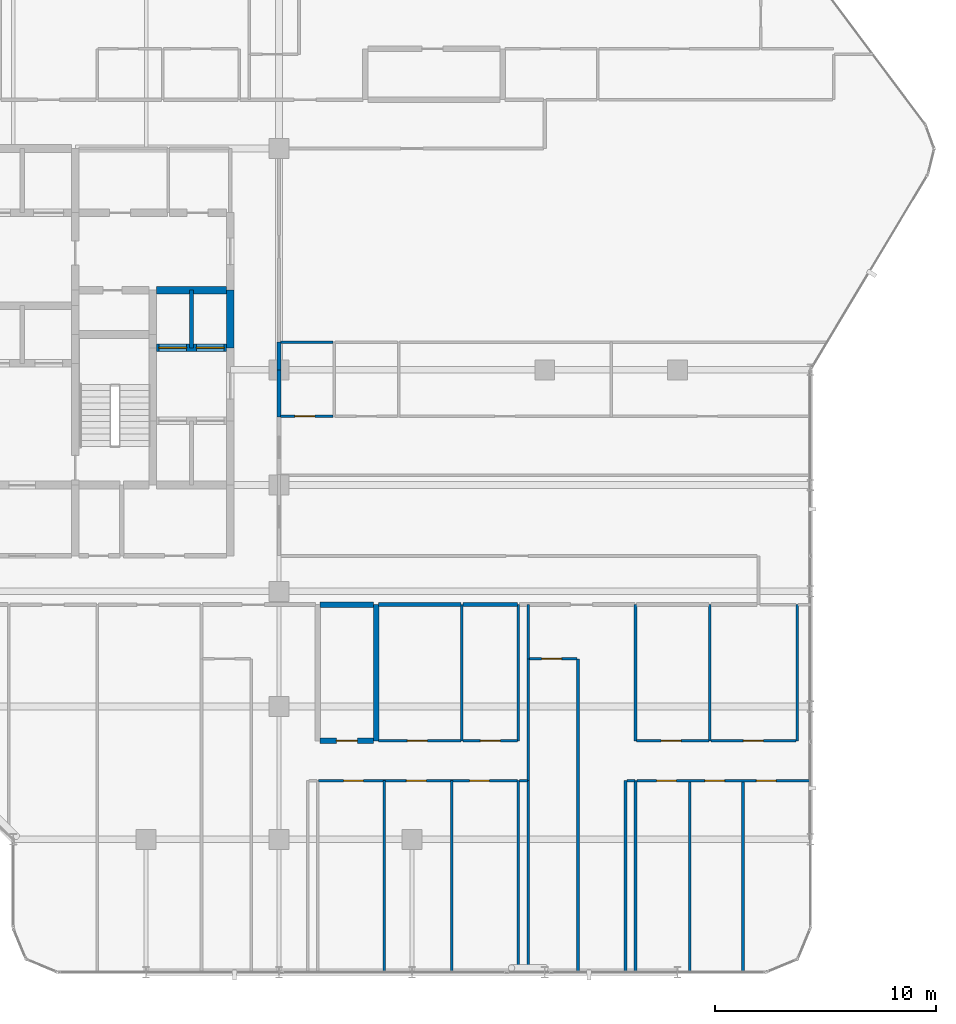
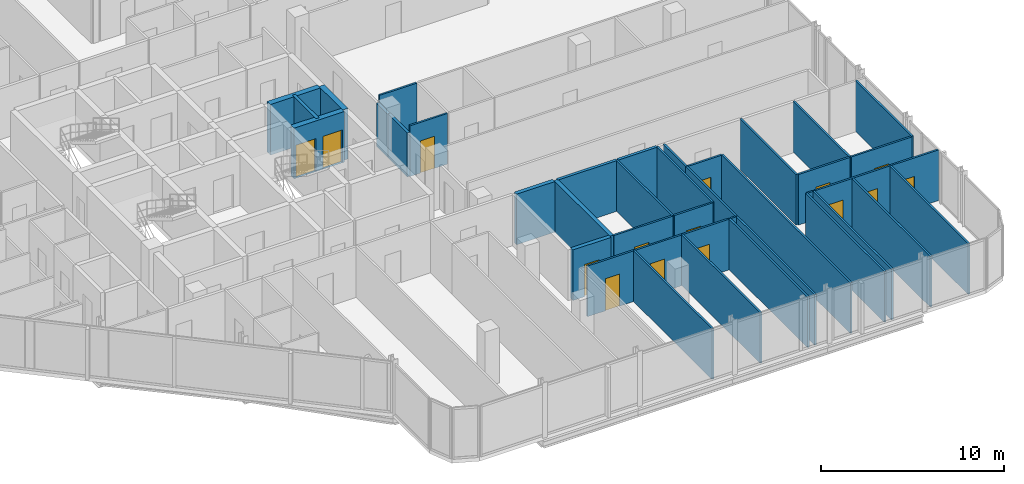
# One storey, part 27 of 31: 38 walls, 15 doors, 15 openings.
"""IFC4 building model written with IfcOpenShell, lengths in metres."""

from ifc_helpers import new_model, si_unit, direction, frame, frame_2d, origin, place, context, subcontext, project, spatial, rectangle, extrude, material, layer, layer_set, type_object, element, fill, save


model = new_model("IFC4")

# Units and contexts
model_context = context("Model", 3, precision=1e-05, world=origin(), true_north=direction((0.0, 1.0)))
body_context = subcontext(model_context, "Body", "Model", "MODEL_VIEW")
ifc_project = project(units=[si_unit("LENGTHUNIT", "METRE"), si_unit("AREAUNIT", "SQUARE_METRE"), si_unit("VOLUMEUNIT", "CUBIC_METRE"), si_unit("PLANEANGLEUNIT", "RADIAN"), si_unit("MASSUNIT", "GRAM", prefix="KILO")], contexts=[model_context])

# Site, building, storey
site_placement = place(None, origin())
site = spatial("IfcSite", under=ifc_project, at=site_placement, CompositionType="ELEMENT")
building_placement = place(site_placement, origin())
building = spatial("IfcBuilding", under=site, at=building_placement, Name="Keshet Zoharim Tower", CompositionType="ELEMENT")
storey_placement = place(building_placement, frame((0.0, 0.0, 140.89990234375)))
storey = spatial("IfcBuildingStorey", under=building, at=storey_placement, Name="L34", CompositionType="ELEMENT", Elevation=140.89990234375)

# Wall
ifc_material_1 = material(Name="Concrete C60/75", Category="concrete")
ifc_layer_1 = layer(ifc_material_1, 0.35009765625)
ifc_layer_set_1 = layer_set([ifc_layer_1], Name="Concrete C60/75")
wall_type_1 = type_object("IfcWallType", Name="WL-CORE-350", PredefinedType="SHEAR", material=ifc_layer_set_1)
wall_1_placement = place(storey_placement, frame((30.800048828125, 28.89990234375, 0.0), z_axis=(0.0, 0.0, 1.0), x_axis=(0.0, 1.0, 0.0)))
element("IfcWall", 1, at=wall_1_placement, inside=storey, type_object=wall_type_1, Name="L34 Core Shear Wall 060", PredefinedType="SHEAR", context=body_context, shape_type="SweptSolid", body=[
    extrude(rectangle(XDim=2.60009765625, YDim=0.35009765625, at=frame_2d((1.300048828125, 0.0))), origin(), (0.0, 0.0, 1.0), 3.385009765625),
])

# Wall, openings, doors
wall_2_placement = place(storey_placement, frame((27.4599609375, 28.89990234375, 0.0), z_axis=(0.0, 0.0, 1.0), x_axis=(1.0, 0.0, 0.0)))
wall_2 = element("IfcWall", 2, at=wall_2_placement, inside=storey, type_object=wall_type_1, Name="L34 Core Shear Wall 170", PredefinedType="SHEAR", context=body_context, shape_type="SweptSolid", body=[
    extrude(rectangle(XDim=3.179931640625, YDim=0.35009765625, at=frame_2d((1.58984375, 0.0))), origin(), (0.0, 0.0, 1.0), 3.385009765625),
])
opening_1_placement = place(wall_2_placement, frame((0.1201171875, 0.0, 0.0)))
opening_1 = element("IfcOpeningElement", 3, at=opening_1_placement, cuts=wall_2, Name="Opening LD-01", PredefinedType="OPENING", context=body_context, shape_type="SweptSolid", body=[
    extrude(rectangle(XDim=1.25, YDim=2.199951171875, at=frame_2d((0.625, 1.10009765625))), frame((0.0, 0.18505859375, 0.0), z_axis=(0.0, -1.0, 0.0), x_axis=(1.0, 0.0, 0.0)), (0.0, 0.0, 1.0), 0.3701171875),
])
opening_2_placement = place(wall_2_placement, frame((1.81005859375, 0.0, 0.0)))
opening_2 = element("IfcOpeningElement", 4, at=opening_2_placement, cuts=wall_2, Name="Opening LD-01", PredefinedType="OPENING", context=body_context, shape_type="SweptSolid", body=[
    extrude(rectangle(XDim=1.25, YDim=2.199951171875, at=frame_2d((0.625, 1.10009765625))), frame((0.0, 0.18505859375, 0.0), z_axis=(0.0, -1.0, 0.0), x_axis=(1.0, 0.0, 0.0)), (0.0, 0.0, 1.0), 0.3701171875),
])
ifc_material_2 = material(Name="Steel S355", Category="steel")
door_type_1 = type_object("IfcDoorType", Name="DR-LD01-125", OperationType="DOUBLE_DOOR_SLIDING", PredefinedType="DOOR", material=ifc_material_2)
door_1_placement = place(opening_1_placement, origin())
door_1 = element("IfcDoor", 5, at=door_1_placement, inside=storey, type_object=door_type_1, Name="L34 Passenger Lift Landing Door LF-05", OperationType="DOUBLE_DOOR_SLIDING", OverallHeight=2.199951171875, OverallWidth=1.25, PredefinedType="DOOR", context=body_context, shape_type="SweptSolid", body=[
    extrude(rectangle(XDim=1.25, YDim=2.199951171875, at=frame_2d((0.625, 1.10009765625))), frame((0.0, 0.02490234375, 0.0), z_axis=(0.0, -1.0, 0.0), x_axis=(1.0, 0.0, 0.0)), (0.0, 0.0, 1.0), 0.050048828125),
])
fill(opening_1, door_1)
door_2_placement = place(opening_2_placement, origin())
door_2 = element("IfcDoor", 6, at=door_2_placement, inside=storey, type_object=door_type_1, Name="L34 Passenger Lift Landing Door LF-06", OperationType="DOUBLE_DOOR_SLIDING", OverallHeight=2.199951171875, OverallWidth=1.25, PredefinedType="DOOR", context=body_context, shape_type="SweptSolid", body=[
    extrude(rectangle(XDim=1.25, YDim=2.199951171875, at=frame_2d((0.625, 1.10009765625))), frame((0.0, 0.02490234375, 0.0), z_axis=(0.0, -1.0, 0.0), x_axis=(1.0, 0.0, 0.0)), (0.0, 0.0, 1.0), 0.050048828125),
])
fill(opening_2, door_2)

# Walls
wall_3_placement = place(storey_placement, frame((27.4599609375, 31.5, 0.0), z_axis=(0.0, 0.0, 1.0), x_axis=(1.0, 0.0, 0.0)))
element("IfcWall", 7, at=wall_3_placement, inside=storey, type_object=wall_type_1, Name="L34 Core Shear Wall 181", PredefinedType="SHEAR", context=body_context, shape_type="SweptSolid", body=[
    extrude(rectangle(XDim=3.179931640625, YDim=0.35009765625, at=frame_2d((1.58984375, 0.0))), origin(), (0.0, 0.0, 1.0), 3.385009765625),
])
ifc_material_3 = material(Name="Gypsum Plasterboard", Category="gypsum")
ifc_layer_2 = layer(ifc_material_3, 0.179931640625)
ifc_layer_set_2 = layer_set([ifc_layer_2], Name="Gypsum Plasterboard")
wall_type_2 = type_object("IfcWallType", Name="WL-CORR-180", PredefinedType="STANDARD", material=ifc_layer_set_2)
wall_4_placement = place(storey_placement, frame((33.0, 25.780029296875, 0.0), z_axis=(0.0, 0.0, 1.0), x_axis=(0.0, 1.0, 0.0)))
element("IfcWall", 8, at=wall_4_placement, inside=storey, type_object=wall_type_2, Name="L34 Interior Wall 071", PredefinedType="STANDARD", context=body_context, shape_type="SweptSolid", body=[
    extrude(rectangle(XDim=2.119873046875, YDim=0.179931640625, at=frame_2d((1.06005859375, 0.0))), origin(), (0.0, 0.0, 1.0), 2.93505859375),
])
wall_5_placement = place(storey_placement, frame((37.487060546875, 17.300048828125, 0.0), z_axis=(0.0, 0.0, 1.0), x_axis=(1.0, 0.0, 0.0)))
element("IfcWall", 9, at=wall_5_placement, inside=storey, type_object=wall_type_2, Name="L34 Interior Wall 136", PredefinedType="STANDARD", context=body_context, shape_type="SweptSolid", body=[
    extrude(rectangle(XDim=3.740966796875, YDim=0.179931640625, at=frame_2d((1.87060546875, 0.0))), origin(), (0.0, 0.0, 1.0), 3.385009765625),
])
wall_6_placement = place(storey_placement, frame((41.318115234375, 17.300048828125, 0.0), z_axis=(0.0, 0.0, 1.0), x_axis=(1.0, 0.0, 0.0)))
element("IfcWall", 10, at=wall_6_placement, inside=storey, type_object=wall_type_2, Name="L34 Interior Wall 137", PredefinedType="STANDARD", context=body_context, shape_type="SweptSolid", body=[
    extrude(rectangle(XDim=2.44677734375, YDim=0.179931640625, at=frame_2d((1.223388671875, 0.0))), origin(), (0.0, 0.0, 1.0), 3.385009765625),
])
wall_7_placement = place(storey_placement, frame((33.0, 27.89990234375, 0.0), z_axis=(0.0, 0.0, 1.0), x_axis=(0.0, 1.0, 0.0)))
element("IfcWall", 11, at=wall_7_placement, inside=storey, type_object=wall_type_2, Name="L34 Interior Wall 071 Part 2", PredefinedType="STANDARD", context=body_context, shape_type="SweptSolid", body=[
    extrude(rectangle(XDim=1.260009765625, YDim=0.179931640625, at=frame_2d((0.6298828125, 0.0))), origin(), (0.0, 0.0, 1.0), 2.885009765625),
])
ifc_material_4 = material(Name="Concrete C50/60", Category="concrete")
ifc_layer_3 = layer(ifc_material_4, 0.199951171875)
ifc_layer_set_3 = layer_set([ifc_layer_3], Name="Concrete C50/60")
wall_type_3 = type_object("IfcWallType", Name="WL-FIRE-200", PredefinedType="STANDARD", material=ifc_layer_set_3)
wall_8_placement = place(storey_placement, frame((29.050048828125, 28.89990234375, 0.0), z_axis=(0.0, 0.0, 1.0), x_axis=(0.0, 1.0, 0.0)))
element("IfcWall", 12, at=wall_8_placement, inside=storey, type_object=wall_type_3, Name="L34 Interior Wall 054", PredefinedType="STANDARD", context=body_context, shape_type="SweptSolid", body=[
    extrude(rectangle(XDim=2.60009765625, YDim=0.199951171875, at=frame_2d((1.300048828125, 0.0))), origin(), (0.0, 0.0, 1.0), 3.385009765625),
])
ifc_layer_4 = layer(ifc_material_4, 0.25)
ifc_layer_set_4 = layer_set([ifc_layer_4], Name="Concrete C50/60")
wall_type_4 = type_object("IfcWallType", Name="WL-MAMAD-250", PredefinedType="STANDARD", material=ifc_layer_set_4)
wall_9_placement = place(storey_placement, frame((37.39990234375, 11.14990234375, 0.0), z_axis=(0.0, 0.0, 1.0), x_axis=(0.0, 1.0, 0.0)))
element("IfcWall", 13, at=wall_9_placement, inside=storey, type_object=wall_type_4, Name="L34 Interior Wall 083", PredefinedType="STANDARD", context=body_context, shape_type="SweptSolid", body=[
    extrude(rectangle(XDim=6.150146484375, YDim=0.25, at=frame_2d((3.0751953125, 0.0))), origin(), (0.0, 0.0, 1.0), 3.385009765625),
])

# Wall, opening, door
wall_10_placement = place(storey_placement, frame((34.860107421875, 11.14990234375, 0.0), z_axis=(0.0, 0.0, 1.0), x_axis=(1.0, 0.0, 0.0)))
wall_10 = element("IfcWall", 14, at=wall_10_placement, inside=storey, type_object=wall_type_4, Name="L34 Interior Wall 119", PredefinedType="STANDARD", context=body_context, shape_type="SweptSolid", body=[
    extrude(rectangle(XDim=2.406982421875, YDim=0.25, at=frame_2d((1.20361328125, 0.0))), origin(), (0.0, 0.0, 1.0), 3.385009765625),
])
opening_3_placement = place(wall_10_placement, frame((0.72900390625, 0.0, 0.0)))
opening_3 = element("IfcOpeningElement", 15, at=opening_3_placement, cuts=wall_10, Name="Opening D-F695", PredefinedType="OPENING", context=body_context, shape_type="SweptSolid", body=[
    extrude(rectangle(XDim=0.949951171875, YDim=2.14990234375, at=frame_2d((0.47509765625, 1.074951171875))), frame((0.0, 0.135009765625, 0.0), z_axis=(0.0, -1.0, 0.0), x_axis=(1.0, 0.0, 0.0)), (0.0, 0.0, 1.0), 0.27001953125),
])
ifc_material_5 = material(Name="Hardwood Timber", Category="wood")
door_type_2 = type_object("IfcDoorType", Name="DR-FD60-095", OperationType="NOTDEFINED", PredefinedType="DOOR", material=ifc_material_5)
door_3_placement = place(opening_3_placement, origin())
door_3 = element("IfcDoor", 16, at=door_3_placement, inside=storey, type_object=door_type_2, Name="Apartment 3402 Study and Shelter Room Door", OperationType="SINGLE_SWING_RIGHT", OverallHeight=2.14990234375, OverallWidth=0.949951171875, PredefinedType="DOOR", context=body_context, shape_type="SweptSolid", body=[
    extrude(rectangle(XDim=0.949951171875, YDim=2.14990234375, at=frame_2d((0.47509765625, 1.074951171875))), frame((0.0, 0.02490234375, 0.0), z_axis=(0.0, -1.0, 0.0), x_axis=(1.0, 0.0, 0.0)), (0.0, 0.0, 1.0), 0.050048828125),
])
fill(opening_3, door_3)

# Walls
wall_11_placement = place(storey_placement, frame((34.860107421875, 17.300048828125, 0.0), z_axis=(0.0, 0.0, 1.0), x_axis=(1.0, 0.0, 0.0)))
element("IfcWall", 17, at=wall_11_placement, inside=storey, type_object=wall_type_4, Name="L34 Interior Wall 135", PredefinedType="STANDARD", context=body_context, shape_type="SweptSolid", body=[
    extrude(rectangle(XDim=2.406982421875, YDim=0.25, at=frame_2d((1.20361328125, 0.0))), origin(), (0.0, 0.0, 1.0), 3.385009765625),
])
ifc_layer_5 = layer(ifc_material_3, 0.1201171875)
ifc_layer_set_5 = layer_set([ifc_layer_5], Name="Gypsum Plasterboard")
wall_type_5 = type_object("IfcWallType", Name="WL-PART-120", PredefinedType="PARTITIONING", material=ifc_layer_set_5)
for number, where, z_axis, x_axis, name in (
    (18, (37.75, 0.7099609375, 0.0), (0.0, 0.0, 1.0), (0.0, 1.0, 0.0), "L34 Interior Wall 084"),
    (19, (40.800048828125, 0.7099609375, 0.0), (0.0, 0.0, 1.0), (0.0, 1.0, 0.0), "L34 Interior Wall 087"),
    (20, (43.800048828125, 0.7099609375, 0.0), (0.0, 0.0, 1.0), (0.0, 1.0, 0.0), "L34 Interior Wall 091"),
    (21, (44.25, 0.7099609375, 0.0), (0.0, 0.0, 1.0), (0.0, 1.0, 0.0), "L34 Interior Wall 093"),
):
    element("IfcWall", number, at=place(storey_placement, frame(where, z_axis=z_axis, x_axis=x_axis)), inside=storey, type_object=wall_type_5, Name=name, PredefinedType="PARTITIONING", context=body_context, shape_type="SweptSolid", body=[
        extrude(rectangle(XDim=8.64013671875, YDim=0.1201171875, at=frame_2d((4.320068359375, 0.0))), origin(), (0.0, 0.0, 1.0), 3.385009765625),
    ])
wall_12_placement = place(storey_placement, frame((44.25, 9.35009765625, 0.0), z_axis=(0.0, 0.0, 1.0), x_axis=(0.0, 1.0, 0.0)))
element("IfcWall", 22, at=wall_12_placement, inside=storey, type_object=wall_type_5, Name="L34 Interior Wall 094", PredefinedType="PARTITIONING", context=body_context, shape_type="SweptSolid", body=[
    extrude(rectangle(XDim=5.5, YDim=0.1201171875, at=frame_2d((2.75, 0.0))), origin(), (0.0, 0.0, 1.0), 3.385009765625),
])
wall_13_placement = place(storey_placement, frame((44.25, 14.85009765625, 0.0), z_axis=(0.0, 0.0, 1.0), x_axis=(0.0, 1.0, 0.0)))
element("IfcWall", 23, at=wall_13_placement, inside=storey, type_object=wall_type_5, Name="L34 Interior Wall 095", PredefinedType="PARTITIONING", context=body_context, shape_type="SweptSolid", body=[
    extrude(rectangle(XDim=2.449951171875, YDim=0.1201171875, at=frame_2d((1.22509765625, 0.0))), origin(), (0.0, 0.0, 1.0), 3.385009765625),
])
wall_14_placement = place(storey_placement, frame((46.5, 0.7099609375, 0.0), z_axis=(0.0, 0.0, 1.0), x_axis=(0.0, 1.0, 0.0)))
element("IfcWall", 24, at=wall_14_placement, inside=storey, type_object=wall_type_5, Name="L34 Interior Wall 098", PredefinedType="PARTITIONING", context=body_context, shape_type="SweptSolid", body=[
    extrude(rectangle(XDim=14.14013671875, YDim=0.1201171875, at=frame_2d((7.070068359375, 0.0))), origin(), (0.0, 0.0, 1.0), 3.385009765625),
])
for number, where, z_axis, x_axis, name in (
    (25, (48.64990234375, 0.7099609375, 0.0), (0.0, 0.0, 1.0), (0.0, 1.0, 0.0), "L34 Interior Wall 102"),
    (26, (49.10009765625, 0.7099609375, 0.0), (0.0, 0.0, 1.0), (0.0, 1.0, 0.0), "L34 Interior Wall 103"),
):
    element("IfcWall", number, at=place(storey_placement, frame(where, z_axis=z_axis, x_axis=x_axis)), inside=storey, type_object=wall_type_5, Name=name, PredefinedType="PARTITIONING", context=body_context, shape_type="SweptSolid", body=[
        extrude(rectangle(XDim=8.64013671875, YDim=0.1201171875, at=frame_2d((4.320068359375, 0.0))), origin(), (0.0, 0.0, 1.0), 3.385009765625),
    ])
wall_15_placement = place(storey_placement, frame((49.10009765625, 11.14990234375, 0.0), z_axis=(0.0, 0.0, 1.0), x_axis=(0.0, 1.0, 0.0)))
element("IfcWall", 27, at=wall_15_placement, inside=storey, type_object=wall_type_5, Name="L34 Interior Wall 104", PredefinedType="PARTITIONING", context=body_context, shape_type="SweptSolid", body=[
    extrude(rectangle(XDim=6.150146484375, YDim=0.1201171875, at=frame_2d((3.0751953125, 0.0))), origin(), (0.0, 0.0, 1.0), 3.385009765625),
])
for number, where, z_axis, x_axis, name in (
    (28, (51.550048828125, 0.7099609375, 0.0), (0.0, 0.0, 1.0), (0.0, 1.0, 0.0), "L34 Interior Wall 106"),
    (29, (53.949951171875, 0.7099609375, 0.0), (0.0, 0.0, 1.0), (0.0, 1.0, 0.0), "L34 Interior Wall 109"),
):
    element("IfcWall", number, at=place(storey_placement, frame(where, z_axis=z_axis, x_axis=x_axis)), inside=storey, type_object=wall_type_5, Name=name, PredefinedType="PARTITIONING", context=body_context, shape_type="SweptSolid", body=[
        extrude(rectangle(XDim=8.64013671875, YDim=0.1201171875, at=frame_2d((4.320068359375, 0.0))), origin(), (0.0, 0.0, 1.0), 3.385009765625),
    ])

# Wall, openings, doors
wall_16_placement = place(storey_placement, frame((34.794921875, 9.35009765625, 0.0), z_axis=(0.0, 0.0, 1.0), x_axis=(1.0, 0.0, 0.0)))
wall_16 = element("IfcWall", 30, at=wall_16_placement, inside=storey, type_object=wall_type_5, Name="L34 Interior Wall 115", PredefinedType="PARTITIONING", context=body_context, shape_type="SweptSolid", body=[
    extrude(rectangle(XDim=8.969970703125, YDim=0.1201171875, at=frame_2d((4.48486328125, 0.0))), origin(), (0.0, 0.0, 1.0), 3.385009765625),
])
opening_4_placement = place(wall_16_placement, frame((1.118896484375, 0.0, 0.0)))
opening_4 = element("IfcOpeningElement", 31, at=opening_4_placement, cuts=wall_16, Name="Opening D-IN90", PredefinedType="OPENING", context=body_context, shape_type="SweptSolid", body=[
    extrude(rectangle(XDim=0.89990234375, YDim=2.14990234375, at=frame_2d((0.449951171875, 1.074951171875))), frame((0.0, 0.070068359375, 0.0), z_axis=(0.0, -1.0, 0.0), x_axis=(1.0, 0.0, 0.0)), (0.0, 0.0, 1.0), 0.14013671875),
])
opening_5_placement = place(wall_16_placement, frame((3.9619140625, 0.0, 0.0)))
opening_5 = element("IfcOpeningElement", 32, at=opening_5_placement, cuts=wall_16, Name="Opening D-IN90", PredefinedType="OPENING", context=body_context, shape_type="SweptSolid", body=[
    extrude(rectangle(XDim=0.89990234375, YDim=2.14990234375, at=frame_2d((0.449951171875, 1.074951171875))), frame((0.0, 0.070068359375, 0.0), z_axis=(0.0, -1.0, 0.0), x_axis=(1.0, 0.0, 0.0)), (0.0, 0.0, 1.0), 0.14013671875),
])
opening_6_placement = place(wall_16_placement, frame((6.80908203125, 0.0, 0.0)))
opening_6 = element("IfcOpeningElement", 33, at=opening_6_placement, cuts=wall_16, Name="Opening D-IN90", PredefinedType="OPENING", context=body_context, shape_type="SweptSolid", body=[
    extrude(rectangle(XDim=0.89990234375, YDim=2.14990234375, at=frame_2d((0.449951171875, 1.074951171875))), frame((0.0, 0.070068359375, 0.0), z_axis=(0.0, -1.0, 0.0), x_axis=(1.0, 0.0, 0.0)), (0.0, 0.0, 1.0), 0.14013671875),
])
door_type_3 = type_object("IfcDoorType", Name="DR-INT-090", OperationType="NOTDEFINED", PredefinedType="DOOR", material=ifc_material_5)
door_4_placement = place(opening_4_placement, origin())
door_4 = element("IfcDoor", 34, at=door_4_placement, inside=storey, type_object=door_type_3, Name="Apartment 3402 Bedroom 1 Door", OperationType="SINGLE_SWING_RIGHT", OverallHeight=2.14990234375, OverallWidth=0.89990234375, PredefinedType="DOOR", context=body_context, shape_type="SweptSolid", body=[
    extrude(rectangle(XDim=0.89990234375, YDim=2.14990234375, at=frame_2d((0.449951171875, 1.074951171875))), frame((0.0, 0.02490234375, 0.0), z_axis=(0.0, -1.0, 0.0), x_axis=(1.0, 0.0, 0.0)), (0.0, 0.0, 1.0), 0.050048828125),
])
fill(opening_4, door_4)
door_5_placement = place(opening_5_placement, origin())
door_5 = element("IfcDoor", 35, at=door_5_placement, inside=storey, type_object=door_type_3, Name="Apartment 3402 Bedroom 2 Door", OperationType="SINGLE_SWING_LEFT", OverallHeight=2.14990234375, OverallWidth=0.89990234375, PredefinedType="DOOR", context=body_context, shape_type="SweptSolid", body=[
    extrude(rectangle(XDim=0.89990234375, YDim=2.14990234375, at=frame_2d((0.449951171875, 1.074951171875))), frame((0.0, 0.02490234375, 0.0), z_axis=(0.0, -1.0, 0.0), x_axis=(1.0, 0.0, 0.0)), (0.0, 0.0, 1.0), 0.050048828125),
])
fill(opening_5, door_5)
door_6_placement = place(opening_6_placement, origin())
door_6 = element("IfcDoor", 36, at=door_6_placement, inside=storey, type_object=door_type_3, Name="Apartment 3402 Bedroom 3 Door", OperationType="SINGLE_SWING_RIGHT", OverallHeight=2.14990234375, OverallWidth=0.89990234375, PredefinedType="DOOR", context=body_context, shape_type="SweptSolid", body=[
    extrude(rectangle(XDim=0.89990234375, YDim=2.14990234375, at=frame_2d((0.449951171875, 1.074951171875))), frame((0.0, 0.02490234375, 0.0), z_axis=(0.0, -1.0, 0.0), x_axis=(1.0, 0.0, 0.0)), (0.0, 0.0, 1.0), 0.050048828125),
])
fill(opening_6, door_6)

# Walls
wall_17_placement = place(storey_placement, frame((43.85498046875, 9.35009765625, 0.0), z_axis=(0.0, 0.0, 1.0), x_axis=(1.0, 0.0, 0.0)))
element("IfcWall", 37, at=wall_17_placement, inside=storey, type_object=wall_type_5, Name="L34 Interior Wall 116", PredefinedType="PARTITIONING", context=body_context, shape_type="SweptSolid", body=[
    extrude(rectangle(XDim=0.360107421875, YDim=0.1201171875, at=frame_2d((0.18017578125, 0.0))), origin(), (0.0, 0.0, 1.0), 3.385009765625),
])
wall_18_placement = place(storey_placement, frame((48.705078125, 9.35009765625, 0.0), z_axis=(0.0, 0.0, 1.0), x_axis=(1.0, 0.0, 0.0)))
element("IfcWall", 38, at=wall_18_placement, inside=storey, type_object=wall_type_5, Name="L34 Interior Wall 117", PredefinedType="PARTITIONING", context=body_context, shape_type="SweptSolid", body=[
    extrude(rectangle(XDim=0.35986328125, YDim=0.1201171875, at=frame_2d((0.179931640625, 0.0))), origin(), (0.0, 0.0, 1.0), 3.385009765625),
])

# Wall, openings, doors
wall_19_placement = place(storey_placement, frame((49.155029296875, 9.35009765625, 0.0), z_axis=(0.0, 0.0, 1.0), x_axis=(1.0, 0.0, 0.0)))
wall_19 = element("IfcWall", 39, at=wall_19_placement, inside=storey, type_object=wall_type_5, Name="L34 Interior Wall 118", PredefinedType="PARTITIONING", context=body_context, shape_type="SweptSolid", body=[
    extrude(rectangle(XDim=7.8349609375, YDim=0.1201171875, at=frame_2d((3.91748046875, 0.0))), origin(), (0.0, 0.0, 1.0), 3.385009765625),
])
opening_7_placement = place(wall_19_placement, frame((0.89306640625, 0.0, 0.0)))
opening_7 = element("IfcOpeningElement", 40, at=opening_7_placement, cuts=wall_19, Name="Opening D-IN90", PredefinedType="OPENING", context=body_context, shape_type="SweptSolid", body=[
    extrude(rectangle(XDim=0.89990234375, YDim=2.14990234375, at=frame_2d((0.449951171875, 1.074951171875))), frame((0.0, 0.070068359375, 0.0), z_axis=(0.0, -1.0, 0.0), x_axis=(1.0, 0.0, 0.0)), (0.0, 0.0, 1.0), 0.14013671875),
])
opening_8_placement = place(wall_19_placement, frame((3.072021484375, 0.0, 0.0)))
opening_8 = element("IfcOpeningElement", 41, at=opening_8_placement, cuts=wall_19, Name="Opening D-IN90", PredefinedType="OPENING", context=body_context, shape_type="SweptSolid", body=[
    extrude(rectangle(XDim=0.89990234375, YDim=2.14990234375, at=frame_2d((0.449951171875, 1.074951171875))), frame((0.0, 0.070068359375, 0.0), z_axis=(0.0, -1.0, 0.0), x_axis=(1.0, 0.0, 0.0)), (0.0, 0.0, 1.0), 0.14013671875),
])
opening_9_placement = place(wall_19_placement, frame((5.39697265625, 0.0, 0.0)))
opening_9 = element("IfcOpeningElement", 42, at=opening_9_placement, cuts=wall_19, Name="Opening D-IN90", PredefinedType="OPENING", context=body_context, shape_type="SweptSolid", body=[
    extrude(rectangle(XDim=0.89990234375, YDim=2.14990234375, at=frame_2d((0.449951171875, 1.074951171875))), frame((0.0, 0.070068359375, 0.0), z_axis=(0.0, -1.0, 0.0), x_axis=(1.0, 0.0, 0.0)), (0.0, 0.0, 1.0), 0.14013671875),
])
door_7_placement = place(opening_7_placement, origin())
door_7 = element("IfcDoor", 43, at=door_7_placement, inside=storey, type_object=door_type_3, Name="Apartment 3403 Bedroom 1 Door", OperationType="SINGLE_SWING_LEFT", OverallHeight=2.14990234375, OverallWidth=0.89990234375, PredefinedType="DOOR", context=body_context, shape_type="SweptSolid", body=[
    extrude(rectangle(XDim=0.89990234375, YDim=2.14990234375, at=frame_2d((0.449951171875, 1.074951171875))), frame((0.0, 0.02490234375, 0.0), z_axis=(0.0, -1.0, 0.0), x_axis=(1.0, 0.0, 0.0)), (0.0, 0.0, 1.0), 0.050048828125),
])
fill(opening_7, door_7)
door_8_placement = place(opening_8_placement, origin())
door_8 = element("IfcDoor", 44, at=door_8_placement, inside=storey, type_object=door_type_3, Name="Apartment 3403 Bedroom 2 Door", OperationType="SINGLE_SWING_RIGHT", OverallHeight=2.14990234375, OverallWidth=0.89990234375, PredefinedType="DOOR", context=body_context, shape_type="SweptSolid", body=[
    extrude(rectangle(XDim=0.89990234375, YDim=2.14990234375, at=frame_2d((0.449951171875, 1.074951171875))), frame((0.0, 0.02490234375, 0.0), z_axis=(0.0, -1.0, 0.0), x_axis=(1.0, 0.0, 0.0)), (0.0, 0.0, 1.0), 0.050048828125),
])
fill(opening_8, door_8)
door_9_placement = place(opening_9_placement, origin())
door_9 = element("IfcDoor", 45, at=door_9_placement, inside=storey, type_object=door_type_3, Name="Apartment 3403 Bedroom 3 Door", OperationType="SINGLE_SWING_LEFT", OverallHeight=2.14990234375, OverallWidth=0.89990234375, PredefinedType="DOOR", context=body_context, shape_type="SweptSolid", body=[
    extrude(rectangle(XDim=0.89990234375, YDim=2.14990234375, at=frame_2d((0.449951171875, 1.074951171875))), frame((0.0, 0.02490234375, 0.0), z_axis=(0.0, -1.0, 0.0), x_axis=(1.0, 0.0, 0.0)), (0.0, 0.0, 1.0), 0.050048828125),
])
fill(opening_9, door_9)

# Wall, opening, door
wall_20_placement = place(storey_placement, frame((37.487060546875, 11.14990234375, 0.0), z_axis=(0.0, 0.0, 1.0), x_axis=(1.0, 0.0, 0.0)))
wall_20 = element("IfcWall", 46, at=wall_20_placement, inside=storey, type_object=wall_type_5, Name="L34 Interior Wall 120", PredefinedType="PARTITIONING", context=body_context, shape_type="SweptSolid", body=[
    extrude(rectangle(XDim=3.740966796875, YDim=0.1201171875, at=frame_2d((1.87060546875, 0.0))), origin(), (0.0, 0.0, 1.0), 3.385009765625),
])
opening_10_placement = place(wall_20_placement, frame((1.31494140625, 0.0, 0.0)))
opening_10 = element("IfcOpeningElement", 47, at=opening_10_placement, cuts=wall_20, Name="Opening D-IN90", PredefinedType="OPENING", context=body_context, shape_type="SweptSolid", body=[
    extrude(rectangle(XDim=0.89990234375, YDim=2.14990234375, at=frame_2d((0.449951171875, 1.074951171875))), frame((0.0, 0.070068359375, 0.0), z_axis=(0.0, -1.0, 0.0), x_axis=(1.0, 0.0, 0.0)), (0.0, 0.0, 1.0), 0.14013671875),
])
door_10_placement = place(opening_10_placement, origin())
door_10 = element("IfcDoor", 48, at=door_10_placement, inside=storey, type_object=door_type_3, Name="Apartment 3402 Kitchen Door", OperationType="SINGLE_SWING_LEFT", OverallHeight=2.14990234375, OverallWidth=0.89990234375, PredefinedType="DOOR", context=body_context, shape_type="SweptSolid", body=[
    extrude(rectangle(XDim=0.89990234375, YDim=2.14990234375, at=frame_2d((0.449951171875, 1.074951171875))), frame((0.0, 0.02490234375, 0.0), z_axis=(0.0, -1.0, 0.0), x_axis=(1.0, 0.0, 0.0)), (0.0, 0.0, 1.0), 0.050048828125),
])
fill(opening_10, door_10)

wall_21_placement = place(storey_placement, frame((49.155029296875, 11.14990234375, 0.0), z_axis=(0.0, 0.0, 1.0), x_axis=(1.0, 0.0, 0.0)))
wall_21 = element("IfcWall", 49, at=wall_21_placement, inside=storey, type_object=wall_type_5, Name="L34 Interior Wall 122", PredefinedType="PARTITIONING", context=body_context, shape_type="SweptSolid", body=[
    extrude(rectangle(XDim=3.259033203125, YDim=0.1201171875, at=frame_2d((1.62939453125, 0.0))), origin(), (0.0, 0.0, 1.0), 3.385009765625),
])
opening_11_placement = place(wall_21_placement, frame((1.10498046875, 0.0, 0.0)))
opening_11 = element("IfcOpeningElement", 50, at=opening_11_placement, cuts=wall_21, Name="Opening D-IN90", PredefinedType="OPENING", context=body_context, shape_type="SweptSolid", body=[
    extrude(rectangle(XDim=0.89990234375, YDim=2.14990234375, at=frame_2d((0.449951171875, 1.074951171875))), frame((0.0, 0.070068359375, 0.0), z_axis=(0.0, -1.0, 0.0), x_axis=(1.0, 0.0, 0.0)), (0.0, 0.0, 1.0), 0.14013671875),
])
door_11_placement = place(opening_11_placement, origin())
door_11 = element("IfcDoor", 51, at=door_11_placement, inside=storey, type_object=door_type_3, Name="Apartment 3403 Kitchen Door", OperationType="SINGLE_SWING_LEFT", OverallHeight=2.14990234375, OverallWidth=0.89990234375, PredefinedType="DOOR", context=body_context, shape_type="SweptSolid", body=[
    extrude(rectangle(XDim=0.89990234375, YDim=2.14990234375, at=frame_2d((0.449951171875, 1.074951171875))), frame((0.0, 0.02490234375, 0.0), z_axis=(0.0, -1.0, 0.0), x_axis=(1.0, 0.0, 0.0)), (0.0, 0.0, 1.0), 0.050048828125),
])
fill(opening_11, door_11)

wall_22_placement = place(storey_placement, frame((44.304931640625, 14.85009765625, 0.0), z_axis=(0.0, 0.0, 1.0), x_axis=(1.0, 0.0, 0.0)))
wall_22 = element("IfcWall", 52, at=wall_22_placement, inside=storey, type_object=wall_type_5, Name="L34 Interior Wall 127", PredefinedType="PARTITIONING", context=body_context, shape_type="SweptSolid", body=[
    extrude(rectangle(XDim=2.16015625, YDim=0.1201171875, at=frame_2d((1.080078125, 0.0))), origin(), (0.0, 0.0, 1.0), 3.385009765625),
])
opening_12_placement = place(wall_22_placement, frame((0.552978515625, 0.0, 0.0)))
opening_12 = element("IfcOpeningElement", 53, at=opening_12_placement, cuts=wall_22, Name="Opening D-IN90", PredefinedType="OPENING", context=body_context, shape_type="SweptSolid", body=[
    extrude(rectangle(XDim=0.89990234375, YDim=2.14990234375, at=frame_2d((0.449951171875, 1.074951171875))), frame((0.0, 0.070068359375, 0.0), z_axis=(0.0, -1.0, 0.0), x_axis=(1.0, 0.0, 0.0)), (0.0, 0.0, 1.0), 0.14013671875),
])
door_12_placement = place(opening_12_placement, origin())
door_12 = element("IfcDoor", 54, at=door_12_placement, inside=storey, type_object=door_type_3, Name="Apartment 3403 Formal Dining Room Door", OperationType="SINGLE_SWING_RIGHT", OverallHeight=2.14990234375, OverallWidth=0.89990234375, PredefinedType="DOOR", context=body_context, shape_type="SweptSolid", body=[
    extrude(rectangle(XDim=0.89990234375, YDim=2.14990234375, at=frame_2d((0.449951171875, 1.074951171875))), frame((0.0, 0.02490234375, 0.0), z_axis=(0.0, -1.0, 0.0), x_axis=(1.0, 0.0, 0.0)), (0.0, 0.0, 1.0), 0.050048828125),
])
fill(opening_12, door_12)

wall_23_placement = place(storey_placement, frame((33.074951171875, 25.800048828125, 0.0), z_axis=(0.0, 0.0, 1.0), x_axis=(1.0, 0.0, 0.0)))
wall_23 = element("IfcWall", 55, at=wall_23_placement, inside=storey, type_object=wall_type_5, Name="L34 Interior Wall 162", PredefinedType="PARTITIONING", context=body_context, shape_type="SweptSolid", body=[
    extrude(rectangle(XDim=2.364013671875, YDim=0.1201171875, at=frame_2d((1.18212890625, 0.0))), origin(), (0.0, 0.0, 1.0), 3.385009765625),
])
opening_13_placement = place(wall_23_placement, frame((0.64111328125, 0.0, 0.0)))
opening_13 = element("IfcOpeningElement", 56, at=opening_13_placement, cuts=wall_23, Name="Opening D-IN90", PredefinedType="OPENING", context=body_context, shape_type="SweptSolid", body=[
    extrude(rectangle(XDim=0.89990234375, YDim=2.14990234375, at=frame_2d((0.449951171875, 1.074951171875))), frame((0.0, 0.070068359375, 0.0), z_axis=(0.0, -1.0, 0.0), x_axis=(1.0, 0.0, 0.0)), (0.0, 0.0, 1.0), 0.14013671875),
])
door_13_placement = place(opening_13_placement, origin())
door_13 = element("IfcDoor", 57, at=door_13_placement, inside=storey, type_object=door_type_3, Name="Apartment 3409 Kitchen Door", OperationType="SINGLE_SWING_RIGHT", OverallHeight=2.14990234375, OverallWidth=0.89990234375, PredefinedType="DOOR", context=body_context, shape_type="SweptSolid", body=[
    extrude(rectangle(XDim=0.89990234375, YDim=2.14990234375, at=frame_2d((0.449951171875, 1.074951171875))), frame((0.0, 0.02490234375, 0.0), z_axis=(0.0, -1.0, 0.0), x_axis=(1.0, 0.0, 0.0)), (0.0, 0.0, 1.0), 0.050048828125),
])
fill(opening_13, door_13)

# Walls
wall_24_placement = place(storey_placement, frame((33.074951171875, 29.14990234375, 0.0), z_axis=(0.0, 0.0, 1.0), x_axis=(1.0, 0.0, 0.0)))
element("IfcWall", 58, at=wall_24_placement, inside=storey, type_object=wall_type_5, Name="L34 Interior Wall 171", PredefinedType="PARTITIONING", context=body_context, shape_type="SweptSolid", body=[
    extrude(rectangle(XDim=2.364013671875, YDim=0.1201171875, at=frame_2d((1.18212890625, 0.0))), origin(), (0.0, 0.0, 1.0), 3.385009765625),
])
ifc_layer_6 = layer(ifc_material_3, 0.1201171875)
ifc_layer_set_6 = layer_set([ifc_layer_6], Name="Gypsum Plasterboard")
wall_type_6 = type_object("IfcWallType", Name="WL-WET-120", PredefinedType="PARTITIONING", material=ifc_layer_set_6)
for number, where, z_axis, x_axis, name in (
    (59, (41.25, 11.14990234375, 0.0), (0.0, 0.0, 1.0), (0.0, 1.0, 0.0), "L34 Interior Wall 088"),
    (60, (43.800048828125, 11.14990234375, 0.0), (0.0, 0.0, 1.0), (0.0, 1.0, 0.0), "L34 Interior Wall 092"),
    (61, (52.449951171875, 11.14990234375, 0.0), (0.0, 0.0, 1.0), (0.0, 1.0, 0.0), "L34 Interior Wall 107"),
    (62, (56.39990234375, 11.14990234375, 0.0), (0.0, 0.0, 1.0), (0.0, 1.0, 0.0), "L34 Interior Wall 112"),
):
    element("IfcWall", number, at=place(storey_placement, frame(where, z_axis=z_axis, x_axis=x_axis)), inside=storey, type_object=wall_type_6, Name=name, PredefinedType="PARTITIONING", context=body_context, shape_type="SweptSolid", body=[
        extrude(rectangle(XDim=6.150146484375, YDim=0.1201171875, at=frame_2d((3.0751953125, 0.0))), origin(), (0.0, 0.0, 1.0), 3.385009765625),
    ])

# Wall, opening, door
wall_25_placement = place(storey_placement, frame((41.318115234375, 11.14990234375, 0.0), z_axis=(0.0, 0.0, 1.0), x_axis=(1.0, 0.0, 0.0)))
wall_25 = element("IfcWall", 63, at=wall_25_placement, inside=storey, type_object=wall_type_6, Name="L34 Interior Wall 121", PredefinedType="PARTITIONING", context=body_context, shape_type="SweptSolid", body=[
    extrude(rectangle(XDim=2.44677734375, YDim=0.1201171875, at=frame_2d((1.223388671875, 0.0))), origin(), (0.0, 0.0, 1.0), 3.385009765625),
])
opening_14_placement = place(wall_25_placement, frame((0.77392578125, 0.0, 0.0)))
opening_14 = element("IfcOpeningElement", 64, at=opening_14_placement, cuts=wall_25, Name="Opening D-WT90", PredefinedType="OPENING", context=body_context, shape_type="SweptSolid", body=[
    extrude(rectangle(XDim=0.89990234375, YDim=2.10009765625, at=frame_2d((0.449951171875, 1.050048828125))), frame((0.0, 0.070068359375, 0.0), z_axis=(0.0, -1.0, 0.0), x_axis=(1.0, 0.0, 0.0)), (0.0, 0.0, 1.0), 0.14013671875),
])
door_type_4 = type_object("IfcDoorType", Name="DR-WET-090", OperationType="NOTDEFINED", PredefinedType="DOOR", material=ifc_material_5)
door_14_placement = place(opening_14_placement, origin())
door_14 = element("IfcDoor", 65, at=door_14_placement, inside=storey, type_object=door_type_4, Name="Apartment 3402 Bathroom Door", OperationType="SINGLE_SWING_RIGHT", OverallHeight=2.10009765625, OverallWidth=0.89990234375, PredefinedType="DOOR", context=body_context, shape_type="SweptSolid", body=[
    extrude(rectangle(XDim=0.89990234375, YDim=2.10009765625, at=frame_2d((0.449951171875, 1.050048828125))), frame((0.0, 0.02490234375, 0.0), z_axis=(0.0, -1.0, 0.0), x_axis=(1.0, 0.0, 0.0)), (0.0, 0.0, 1.0), 0.050048828125),
])
fill(opening_14, door_14)

wall_26_placement = place(storey_placement, frame((52.50390625, 11.14990234375, 0.0), z_axis=(0.0, 0.0, 1.0), x_axis=(1.0, 0.0, 0.0)))
wall_26 = element("IfcWall", 66, at=wall_26_placement, inside=storey, type_object=wall_type_6, Name="L34 Interior Wall 123", PredefinedType="PARTITIONING", context=body_context, shape_type="SweptSolid", body=[
    extrude(rectangle(XDim=3.841064453125, YDim=0.1201171875, at=frame_2d((1.92041015625, 0.0))), origin(), (0.0, 0.0, 1.0), 3.385009765625),
])
opening_15_placement = place(wall_26_placement, frame((1.470947265625, 0.0, 0.0)))
opening_15 = element("IfcOpeningElement", 67, at=opening_15_placement, cuts=wall_26, Name="Opening D-WT90", PredefinedType="OPENING", context=body_context, shape_type="SweptSolid", body=[
    extrude(rectangle(XDim=0.89990234375, YDim=2.10009765625, at=frame_2d((0.449951171875, 1.050048828125))), frame((0.0, 0.070068359375, 0.0), z_axis=(0.0, -1.0, 0.0), x_axis=(1.0, 0.0, 0.0)), (0.0, 0.0, 1.0), 0.14013671875),
])
door_15_placement = place(opening_15_placement, origin())
door_15 = element("IfcDoor", 68, at=door_15_placement, inside=storey, type_object=door_type_4, Name="Apartment 3403 Bathroom Door", OperationType="SINGLE_SWING_RIGHT", OverallHeight=2.10009765625, OverallWidth=0.89990234375, PredefinedType="DOOR", context=body_context, shape_type="SweptSolid", body=[
    extrude(rectangle(XDim=0.89990234375, YDim=2.10009765625, at=frame_2d((0.449951171875, 1.050048828125))), frame((0.0, 0.02490234375, 0.0), z_axis=(0.0, -1.0, 0.0), x_axis=(1.0, 0.0, 0.0)), (0.0, 0.0, 1.0), 0.050048828125),
])
fill(opening_15, door_15)

save(model, "model.ifc")
